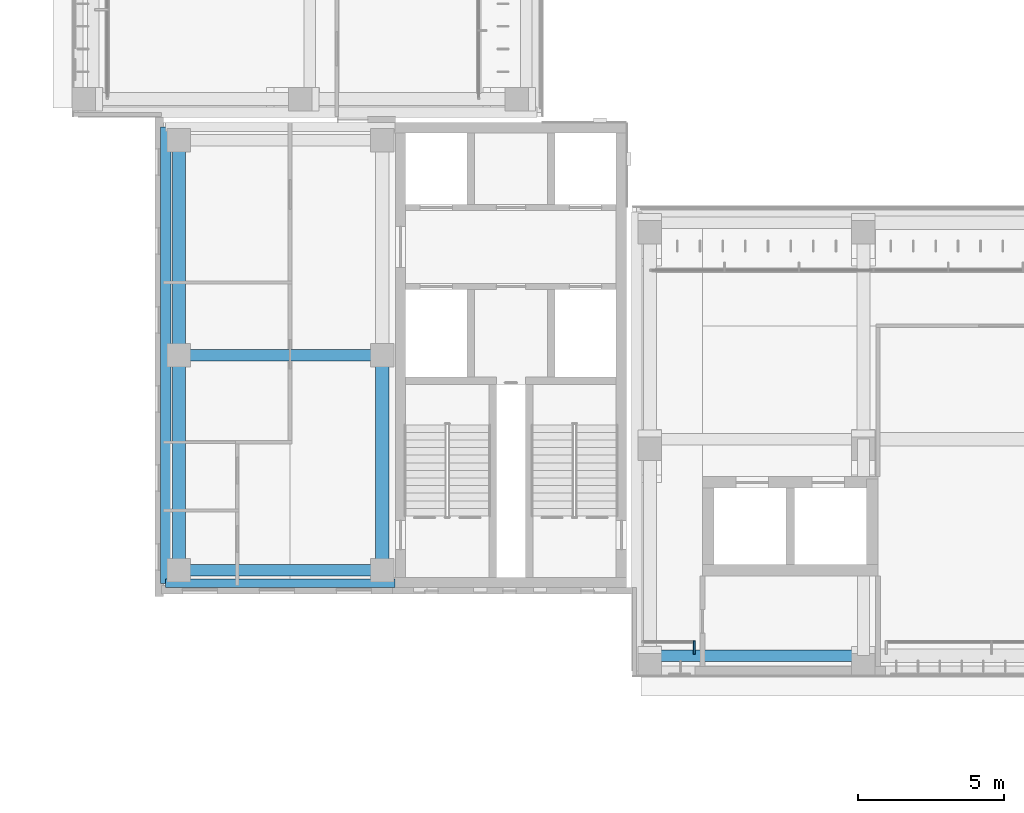
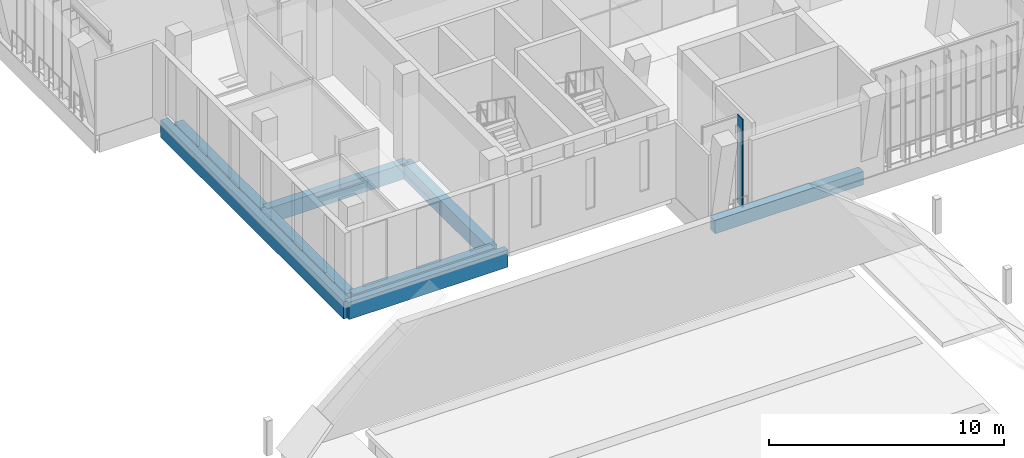
# One storey, part 10 of 89: 8 beams, 1 member, 1 element without a shape of its own.
"""IFC4 building model written with IfcOpenShell, lengths in metres."""

from ifc_helpers import new_model, si_unit, direction, frame, origin, origin_2d, place, context, subcontext, project, spatial, rectangle, extrude, material, material_profile, profile_set, type_object, element, aggregate, save


model = new_model("IFC4")

# Units and contexts
model_context = context("Model", 3, precision=1e-05, world=origin(), true_north=direction((0.0, 1.0)))
body_context = subcontext(model_context, "Body", "Model", "MODEL_VIEW")
ifc_project = project(units=[si_unit("LENGTHUNIT", "METRE"), si_unit("AREAUNIT", "SQUARE_METRE"), si_unit("VOLUMEUNIT", "CUBIC_METRE"), si_unit("PLANEANGLEUNIT", "RADIAN"), si_unit("MASSUNIT", "GRAM", prefix="KILO")], contexts=[model_context])

# Site, building, storey
site_placement = place(None, origin())
site = spatial("IfcSite", under=ifc_project, at=site_placement, CompositionType="ELEMENT")
building_placement = place(site_placement, origin())
building = spatial("IfcBuilding", under=site, at=building_placement, Name="Lantern Court Media Centre", CompositionType="ELEMENT")
storey_placement = place(building_placement, frame((0.0, 0.0, 14.39990234375)))
storey = spatial("IfcBuildingStorey", under=building, at=storey_placement, Name="L03", CompositionType="ELEMENT", Elevation=14.39990234375)

# Curtain wall, member
ifc_material_1 = material(Name="Curtain wall bay 3000")
curtain_wall_type = type_object("IfcCurtainWallType", Name="Curtain wall bay 3000", PredefinedType="NOTDEFINED", material=ifc_material_1)
curtain_wall_placement = place(storey_placement, origin())
curtain_wall = element("IfcCurtainWall", 1, at=curtain_wall_placement, inside=storey, type_object=curtain_wall_type, Name="Curtain wall S outer L03", PredefinedType="NOTDEFINED")
ifc_material_2 = material(Name="Anodised aluminium", Category="aluminium")
ifc_material_profile_1 = material_profile(ifc_material_2, rectangle(XDim=0.449951171875, YDim=0.06005859375, at=origin_2d()), Name="AL 60x450")
ifc_profile_set_1 = profile_set([ifc_material_profile_1], Name="Anodised aluminium")
member_type = type_object("IfcMemberType", Name="Curtain wall mullion 60x450", PredefinedType="MULLION", material=ifc_profile_set_1)
member_placement = place(storey_placement, frame((26.219970703125, 45.955078125, 0.0), z_axis=(0.0, 0.0, 1.0), x_axis=(0.0, 1.0, 0.0)))
member = element("IfcMember", 2, at=member_placement, type_object=member_type, Name="CW1 mullion 2", PredefinedType="MULLION", context=body_context, shape_type="SweptSolid", body=[
    extrude(rectangle(XDim=0.449951171875, YDim=0.06005859375, at=origin_2d()), origin(), (0.0, 0.0, 1.0), 4.580078125),
])
aggregate(curtain_wall, [member])

# Beams
ifc_material_3 = material(Name="Concrete C35", Category="concrete")
ifc_material_profile_2 = material_profile(ifc_material_3, rectangle(XDim=0.300048828125, YDim=0.89990234375, at=origin_2d()), Name="RC 300x900")
ifc_profile_set_2 = profile_set([ifc_material_profile_2], Name="Concrete C35")
beam_type_1 = type_object("IfcBeamType", Name="RC BEAM 300x900", PredefinedType="BEAM", material=ifc_profile_set_2)
beam_1_placement = place(storey_placement, frame((8.14990234375, 48.14990234375, -0.449951171875), z_axis=(1.0, 0.0, 0.0), x_axis=(0.0, 1.0, 0.0)))
element("IfcBeam", 3, at=beam_1_placement, inside=storey, type_object=beam_type_1, Name="EB-SW-L03-S", PredefinedType="BEAM", context=body_context, shape_type="SweptSolid", body=[
    extrude(rectangle(XDim=0.300048828125, YDim=0.89990234375, at=origin_2d()), origin(), (0.0, 0.0, 1.0), 7.830078125),
])
ifc_material_profile_3 = material_profile(ifc_material_3, rectangle(XDim=0.35009765625, YDim=0.89990234375, at=origin_2d()), Name="RC 350x900")
ifc_profile_set_3 = profile_set([ifc_material_profile_3], Name="Concrete C35")
beam_type_2 = type_object("IfcBeamType", Name="RC BEAM 350x900", PredefinedType="BEAM", material=ifc_profile_set_3)
beam_2_placement = place(storey_placement, frame((8.14990234375, 48.14990234375, -0.449951171875), z_axis=(0.0, 1.0, 0.0), x_axis=(-1.0, 0.0, 0.0)))
element("IfcBeam", 4, at=beam_2_placement, inside=storey, type_object=beam_type_2, Name="EB-SW-L03-W", PredefinedType="BEAM", context=body_context, shape_type="SweptSolid", body=[
    extrude(rectangle(XDim=0.35009765625, YDim=0.89990234375, at=origin_2d()), origin(), (0.0, 0.0, 1.0), 15.60009765625),
])
ifc_material_profile_4 = material_profile(ifc_material_3, rectangle(XDim=0.39990234375, YDim=0.699951171875, at=origin_2d()), Name="RC 400x700")
ifc_profile_set_4 = profile_set([ifc_material_profile_4], Name="Concrete C35")
beam_type_3 = type_object("IfcBeamType", Name="RC BEAM 400x700", PredefinedType="BEAM", material=ifc_profile_set_4)
beam_3_placement = place(storey_placement, frame((24.699951171875, 45.6728515625, -0.349853515625), z_axis=(1.0, 0.0, 0.0), x_axis=(0.0, 1.0, 0.0)))
element("IfcBeam", 5, at=beam_3_placement, inside=storey, type_object=beam_type_3, Name="LB-S-L03-0-0", PredefinedType="BEAM", context=body_context, shape_type="SweptSolid", body=[
    extrude(rectangle(XDim=0.39990234375, YDim=0.699951171875, at=origin_2d()), origin(), (0.0, 0.0, 1.0), 7.300048828125),
])
ifc_material_profile_5 = material_profile(ifc_material_3, rectangle(XDim=0.39990234375, YDim=0.800048828125, at=origin_2d()), Name="RC 400x800")
ifc_profile_set_5 = profile_set([ifc_material_profile_5], Name="Concrete C35")
beam_type_4 = type_object("IfcBeamType", Name="RC BEAM 400x800", PredefinedType="BEAM", material=ifc_profile_set_5)
for number, where, z_axis, x_axis, name in (
    (6, (8.60009765625, 48.60009765625, -0.39990234375), (1.0, 0.0, 0.0), (0.0, 1.0, 0.0), "BB-SW-L03-Y0-48"),
    (7, (8.60009765625, 55.949951171875, -0.39990234375), (1.0, 0.0, 0.0), (0.0, 1.0, 0.0), "BB-SW-L03-Y0-55"),
):
    element("IfcBeam", number, at=place(storey_placement, frame(where, z_axis=z_axis, x_axis=x_axis)), inside=storey, type_object=beam_type_4, Name=name, PredefinedType="BEAM", context=body_context, shape_type="SweptSolid", body=[
        extrude(rectangle(XDim=0.39990234375, YDim=0.800048828125, at=origin_2d()), origin(), (0.0, 0.0, 1.0), 6.949951171875),
    ])
ifc_material_profile_6 = material_profile(ifc_material_3, rectangle(XDim=0.449951171875, YDim=0.800048828125, at=origin_2d()), Name="RC 450x800")
ifc_profile_set_6 = profile_set([ifc_material_profile_6], Name="Concrete C35")
beam_type_5 = type_object("IfcBeamType", Name="RC BEAM 450x800", PredefinedType="BEAM", material=ifc_profile_set_6)
beam_4_placement = place(storey_placement, frame((8.60009765625, 48.60009765625, -0.39990234375), z_axis=(0.0, 1.0, 0.0), x_axis=(-1.0, 0.0, 0.0)))
element("IfcBeam", 8, at=beam_4_placement, inside=storey, type_object=beam_type_5, Name="BB-SW-L03-X0-8", PredefinedType="BEAM", context=body_context, shape_type="SweptSolid", body=[
    extrude(rectangle(XDim=0.449951171875, YDim=0.800048828125, at=origin_2d()), origin(), (0.0, 0.0, 1.0), 7.349853515625),
])
beam_5_placement = place(storey_placement, frame((8.60009765625, 55.949951171875, -0.39990234375), z_axis=(0.0, 1.0, 0.0), x_axis=(-1.0, 0.0, 0.0)))
element("IfcBeam", 9, at=beam_5_placement, inside=storey, type_object=beam_type_5, Name="BB-SW-L03-X1-8", PredefinedType="BEAM", context=body_context, shape_type="SweptSolid", body=[
    extrude(rectangle(XDim=0.449951171875, YDim=0.800048828125, at=origin_2d()), origin(), (0.0, 0.0, 1.0), 7.35009765625),
])
beam_6_placement = place(storey_placement, frame((15.550048828125, 48.60009765625, -0.39990234375), z_axis=(0.0, 1.0, 0.0), x_axis=(-1.0, 0.0, 0.0)))
element("IfcBeam", 10, at=beam_6_placement, inside=storey, type_object=beam_type_5, Name="BB-SW-L03-X0-15", PredefinedType="BEAM", context=body_context, shape_type="SweptSolid", body=[
    extrude(rectangle(XDim=0.449951171875, YDim=0.800048828125, at=origin_2d()), origin(), (0.0, 0.0, 1.0), 7.349853515625),
])

save(model, "model.ifc")
